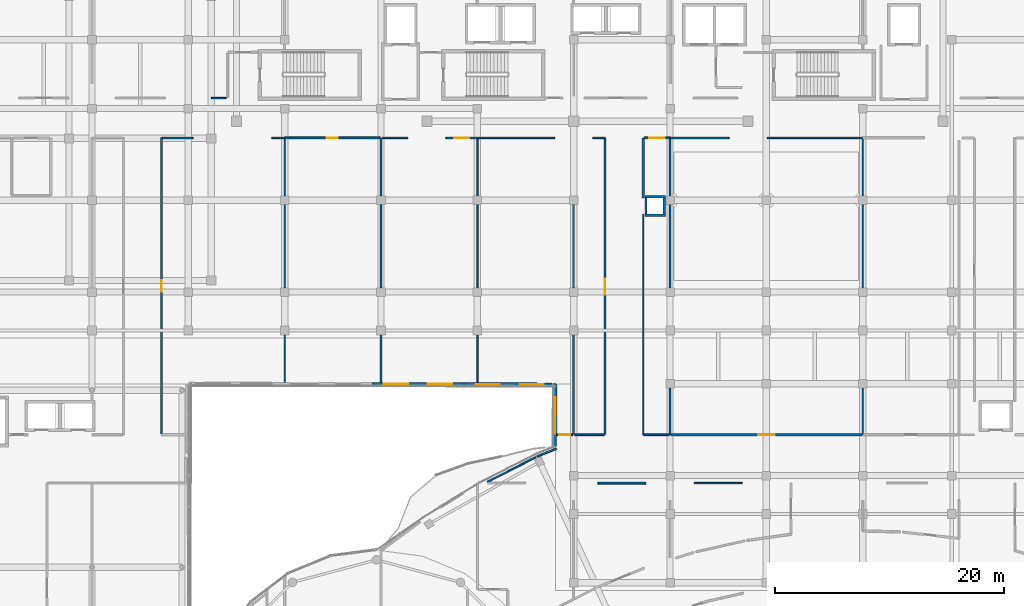
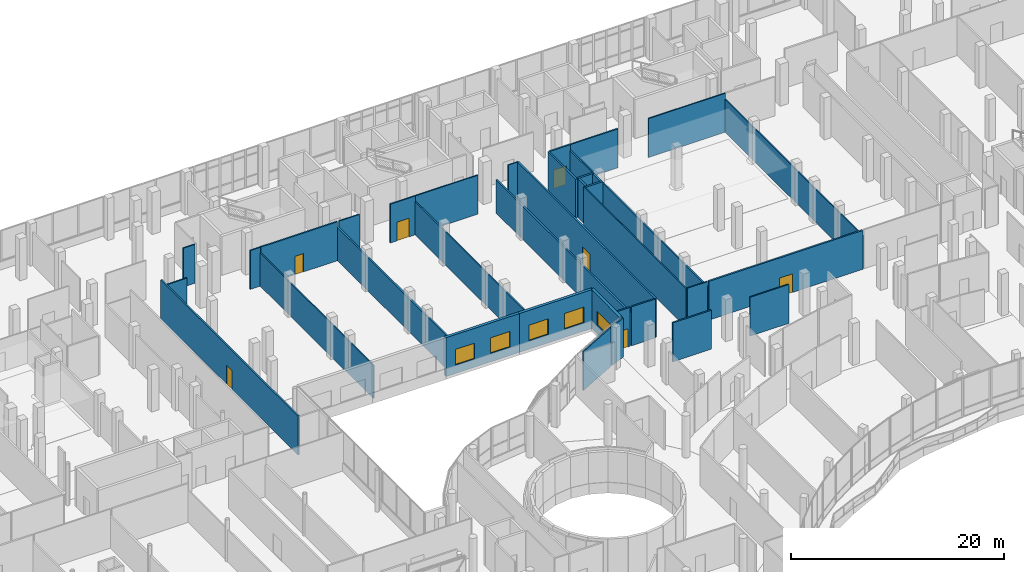
# One storey, part 137 of 155: 36 walls, 7 doors, 5 windows, 12 openings.
"""IFC4 building model written with IfcOpenShell, lengths in metres."""

from ifc_helpers import new_model, si_unit, direction, frame, frame_2d, origin, place, context, subcontext, project, spatial, rectangle, extrude, material, layer, layer_set, type_object, element, fill, save


model = new_model("IFC4")

# Units and contexts
model_context = context("Model", 3, precision=1e-05, world=origin(), true_north=direction((0.0, 1.0)))
body_context = subcontext(model_context, "Body", "Model", "MODEL_VIEW")
ifc_project = project(units=[si_unit("LENGTHUNIT", "METRE"), si_unit("AREAUNIT", "SQUARE_METRE"), si_unit("VOLUMEUNIT", "CUBIC_METRE"), si_unit("PLANEANGLEUNIT", "RADIAN"), si_unit("MASSUNIT", "GRAM", prefix="KILO")], contexts=[model_context])

# Site, building, storey
site_placement = place(None, origin())
site = spatial("IfcSite", under=ifc_project, at=site_placement, CompositionType="ELEMENT")
building_placement = place(site_placement, origin())
building = spatial("IfcBuilding", under=site, at=building_placement, Name="Selatvlak General Hospital", CompositionType="ELEMENT")
storey_placement = place(building_placement, frame((0.0, 0.0, 10.199951171875)))
storey = spatial("IfcBuildingStorey", under=building, at=storey_placement, Name="L02", CompositionType="ELEMENT", Elevation=10.199951171875)

# Wall, opening, window
ifc_material_1 = material(Name="Precast concrete C40/50 - white fair-faced", Category="concrete")
ifc_layer_1 = layer(ifc_material_1, 0.300048828125, Name="Precast concrete C40/50 - white fair-faced", Category="concrete")
ifc_layer_set_1 = layer_set([ifc_layer_1], Name="Precast concrete C40/50 - white fair-faced")
wall_type_1 = type_object("IfcWallType", Name="WALL-EW-01", PredefinedType="SOLIDWALL", material=ifc_layer_set_1)
wall_1_placement = place(storey_placement, frame((113.56298828125, 78.552001953125, 0.0), z_axis=(0.0, 0.0, 1.0), x_axis=(0.006887325881, 0.99997628209, 0.0)))
wall_1 = element("IfcWall", 1, at=wall_1_placement, inside=storey, type_object=wall_type_1, Name="L02 exterior wall 0326", PredefinedType="SOLIDWALL", context=body_context, shape_type="SweptSolid", body=[
    extrude(rectangle(XDim=5.38818359375, YDim=0.300048828125, at=frame_2d((2.694091796875, 0.0))), origin(), (0.0, 0.0, 1.0), 4.4599609375),
])
opening_1_placement = place(wall_1_placement, frame((1.093994140625, 0.0, 0.9599609375)))
opening_1 = element("IfcOpeningElement", 2, at=opening_1_placement, cuts=wall_1, Name="Opening WN-16", PredefinedType="OPENING", context=body_context, shape_type="SweptSolid", body=[
    extrude(rectangle(XDim=3.199951171875, YDim=1.64990234375, at=frame_2d((1.60009765625, 0.824951171875))), frame((0.0, 0.159912109375, 0.0), z_axis=(0.0, -1.0, 0.0), x_axis=(1.0, 0.0, 0.0)), (0.0, 0.0, 1.0), 0.320068359375),
])
ifc_material_2 = material(Name="Thermally broken aluminium Low-E window", Category="aluminium")
window_type_1 = type_object("IfcWindowType", Name="WIN-WN-16", PartitioningType="SINGLE_PANEL", PredefinedType="WINDOW", material=ifc_material_2)
window_1_placement = place(opening_1_placement, origin())
window_1 = element("IfcWindow", 3, at=window_1_placement, inside=storey, type_object=window_type_1, Name="L02 clinical facade window 0045", OverallHeight=1.64990234375, OverallWidth=3.199951171875, PartitioningType="SINGLE_PANEL", PredefinedType="WINDOW", context=body_context, shape_type="SweptSolid", body=[
    extrude(rectangle(XDim=3.199951171875, YDim=1.64990234375, at=frame_2d((1.60009765625, 0.824951171875))), frame((0.0, 0.030029296875, 0.0), z_axis=(0.0, -1.0, 0.0), x_axis=(1.0, 0.0, 0.0)), (0.0, 0.0, 1.0), 0.06005859375),
])
fill(opening_1, window_1)

# Wall, openings, windows
wall_2_placement = place(storey_placement, frame((113.60009765625, 83.93994140625, 0.0), z_axis=(0.0, 0.0, 1.0), x_axis=(-0.99999820332, 0.001895615269, 0.0)))
wall_2 = element("IfcWall", 4, at=wall_2_placement, inside=storey, type_object=wall_type_1, Name="L02 exterior wall 0327", PredefinedType="SOLIDWALL", context=body_context, shape_type="SweptSolid", body=[
    extrude(rectangle(XDim=7.985107421875, YDim=0.300048828125, at=frame_2d((3.99267578125, 0.0))), origin(), (0.0, 0.0, 1.0), 4.4599609375),
])
opening_2_placement = place(wall_2_placement, frame((1.02587890625, 0.0, 0.9599609375)))
opening_2 = element("IfcOpeningElement", 5, at=opening_2_placement, cuts=wall_2, Name="Opening WN-21", PredefinedType="OPENING", context=body_context, shape_type="SweptSolid", body=[
    extrude(rectangle(XDim=2.10009765625, YDim=1.800048828125, at=frame_2d((1.050048828125, 0.89990234375))), frame((0.0, 0.159912109375, 0.0), z_axis=(0.0, -1.0, 0.0), x_axis=(1.0, 0.0, 0.0)), (0.0, 0.0, 1.0), 0.320068359375),
])
opening_3_placement = place(wall_2_placement, frame((4.85888671875, 0.0, 0.9599609375)))
opening_3 = element("IfcOpeningElement", 6, at=opening_3_placement, cuts=wall_2, Name="Opening WN-21", PredefinedType="OPENING", context=body_context, shape_type="SweptSolid", body=[
    extrude(rectangle(XDim=2.10009765625, YDim=1.800048828125, at=frame_2d((1.050048828125, 0.89990234375))), frame((0.0, 0.159912109375, 0.0), z_axis=(0.0, -1.0, 0.0), x_axis=(1.0, 0.0, 0.0)), (0.0, 0.0, 1.0), 0.320068359375),
])
window_type_2 = type_object("IfcWindowType", Name="WIN-WN-21", PartitioningType="SINGLE_PANEL", PredefinedType="WINDOW", material=ifc_material_2)
window_2_placement = place(opening_2_placement, origin())
window_2 = element("IfcWindow", 7, at=window_2_placement, inside=storey, type_object=window_type_2, Name="L02 Bauhaus ribbon window 0046", OverallHeight=1.800048828125, OverallWidth=2.10009765625, PartitioningType="SINGLE_PANEL", PredefinedType="WINDOW", context=body_context, shape_type="SweptSolid", body=[
    extrude(rectangle(XDim=2.10009765625, YDim=1.800048828125, at=frame_2d((1.050048828125, 0.89990234375))), frame((0.0, 0.030029296875, 0.0), z_axis=(0.0, -1.0, 0.0), x_axis=(1.0, 0.0, 0.0)), (0.0, 0.0, 1.0), 0.06005859375),
])
fill(opening_2, window_2)
window_3_placement = place(opening_3_placement, origin())
window_3 = element("IfcWindow", 8, at=window_3_placement, inside=storey, type_object=window_type_2, Name="L02 Bauhaus ribbon window 0047", OverallHeight=1.800048828125, OverallWidth=2.10009765625, PartitioningType="SINGLE_PANEL", PredefinedType="WINDOW", context=body_context, shape_type="SweptSolid", body=[
    extrude(rectangle(XDim=2.10009765625, YDim=1.800048828125, at=frame_2d((1.050048828125, 0.89990234375))), frame((0.0, 0.030029296875, 0.0), z_axis=(0.0, -1.0, 0.0), x_axis=(1.0, 0.0, 0.0)), (0.0, 0.0, 1.0), 0.06005859375),
])
fill(opening_3, window_3)

wall_3_placement = place(storey_placement, frame((105.614990234375, 83.955078125, 0.0), z_axis=(0.0, 0.0, 1.0), x_axis=(-0.99999826081, 0.001865040936, 0.0)))
wall_3 = element("IfcWall", 9, at=wall_3_placement, inside=storey, type_object=wall_type_1, Name="L02 exterior wall 0328", PredefinedType="SOLIDWALL", context=body_context, shape_type="SweptSolid", body=[
    extrude(rectangle(XDim=7.985107421875, YDim=0.300048828125, at=frame_2d((3.99267578125, 0.0))), origin(), (0.0, 0.0, 1.0), 4.4599609375),
])
opening_4_placement = place(wall_3_placement, frame((1.02587890625, 0.0, 0.9599609375)))
opening_4 = element("IfcOpeningElement", 10, at=opening_4_placement, cuts=wall_3, Name="Opening WN-21", PredefinedType="OPENING", context=body_context, shape_type="SweptSolid", body=[
    extrude(rectangle(XDim=2.10009765625, YDim=1.800048828125, at=frame_2d((1.050048828125, 0.89990234375))), frame((0.0, 0.159912109375, 0.0), z_axis=(0.0, -1.0, 0.0), x_axis=(1.0, 0.0, 0.0)), (0.0, 0.0, 1.0), 0.320068359375),
])
opening_5_placement = place(wall_3_placement, frame((4.85888671875, 0.0, 0.9599609375)))
opening_5 = element("IfcOpeningElement", 11, at=opening_5_placement, cuts=wall_3, Name="Opening WN-21", PredefinedType="OPENING", context=body_context, shape_type="SweptSolid", body=[
    extrude(rectangle(XDim=2.10009765625, YDim=1.800048828125, at=frame_2d((1.050048828125, 0.89990234375))), frame((0.0, 0.159912109375, 0.0), z_axis=(0.0, -1.0, 0.0), x_axis=(1.0, 0.0, 0.0)), (0.0, 0.0, 1.0), 0.320068359375),
])
window_4_placement = place(opening_4_placement, origin())
window_4 = element("IfcWindow", 12, at=window_4_placement, inside=storey, type_object=window_type_2, Name="L02 Bauhaus ribbon window 0048", OverallHeight=1.800048828125, OverallWidth=2.10009765625, PartitioningType="SINGLE_PANEL", PredefinedType="WINDOW", context=body_context, shape_type="SweptSolid", body=[
    extrude(rectangle(XDim=2.10009765625, YDim=1.800048828125, at=frame_2d((1.050048828125, 0.89990234375))), frame((0.0, 0.030029296875, 0.0), z_axis=(0.0, -1.0, 0.0), x_axis=(1.0, 0.0, 0.0)), (0.0, 0.0, 1.0), 0.06005859375),
])
fill(opening_4, window_4)
window_5_placement = place(opening_5_placement, origin())
window_5 = element("IfcWindow", 13, at=window_5_placement, inside=storey, type_object=window_type_2, Name="L02 Bauhaus ribbon window 0049", OverallHeight=1.800048828125, OverallWidth=2.10009765625, PartitioningType="SINGLE_PANEL", PredefinedType="WINDOW", context=body_context, shape_type="SweptSolid", body=[
    extrude(rectangle(XDim=2.10009765625, YDim=1.800048828125, at=frame_2d((1.050048828125, 0.89990234375))), frame((0.0, 0.030029296875, 0.0), z_axis=(0.0, -1.0, 0.0), x_axis=(1.0, 0.0, 0.0)), (0.0, 0.0, 1.0), 0.06005859375),
])
fill(opening_5, window_5)

# Walls
ifc_material_3 = material(Name="Concrete C40/50", Category="concrete")
ifc_layer_2 = layer(ifc_material_3, 0.199951171875, Name="Concrete C40/50", Category="concrete")
ifc_layer_set_2 = layer_set([ifc_layer_2], Name="Concrete C40/50")
wall_type_2 = type_object("IfcWallType", Name="WALL-IW-02", PredefinedType="SOLIDWALL", material=ifc_layer_set_2)
wall_4_placement = place(storey_placement, frame((121.39990234375, 98.699951171875, 0.0), z_axis=(0.0, 0.0, 1.0), x_axis=(1.0, 0.0, 0.0)))
element("IfcWall", 14, at=wall_4_placement, inside=storey, type_object=wall_type_2, Name="Service riser 2 shaft wall L02 S", PredefinedType="SOLIDWALL", context=body_context, shape_type="SweptSolid", body=[
    extrude(rectangle(XDim=1.800048828125, YDim=0.199951171875, at=frame_2d((0.89990234375, 0.0))), origin(), (0.0, 0.0, 1.0), 4.4599609375),
])
wall_5_placement = place(storey_placement, frame((123.10009765625, 98.800048828125, 0.0), z_axis=(0.0, 0.0, 1.0), x_axis=(0.0, 1.0, 0.0)))
element("IfcWall", 15, at=wall_5_placement, inside=storey, type_object=wall_type_2, Name="Service riser 2 shaft wall L02 E", PredefinedType="SOLIDWALL", context=body_context, shape_type="SweptSolid", body=[
    extrude(rectangle(XDim=1.39990234375, YDim=0.199951171875, at=frame_2d((0.699951171875, 0.0))), origin(), (0.0, 0.0, 1.0), 4.4599609375),
])
wall_6_placement = place(storey_placement, frame((123.199951171875, 100.300048828125, 0.0), z_axis=(0.0, 0.0, 1.0), x_axis=(-1.0, 0.0, 0.0)))
element("IfcWall", 16, at=wall_6_placement, inside=storey, type_object=wall_type_2, Name="Service riser 2 shaft wall L02 N", PredefinedType="SOLIDWALL", context=body_context, shape_type="SweptSolid", body=[
    extrude(rectangle(XDim=1.800048828125, YDim=0.199951171875, at=frame_2d((0.89990234375, 0.0))), origin(), (0.0, 0.0, 1.0), 4.4599609375),
])
wall_7_placement = place(storey_placement, frame((121.5, 100.199951171875, 0.0), z_axis=(0.0, 0.0, 1.0), x_axis=(0.0, -1.0, 0.0)))
element("IfcWall", 17, at=wall_7_placement, inside=storey, type_object=wall_type_2, Name="Service riser 2 shaft wall L02 W", PredefinedType="SOLIDWALL", context=body_context, shape_type="SweptSolid", body=[
    extrude(rectangle(XDim=1.39990234375, YDim=0.199951171875, at=frame_2d((0.699951171875, 0.0))), origin(), (0.0, 0.0, 1.0), 4.4599609375),
])
ifc_material_4 = material(Name="Acoustic gypsum stud partition")
ifc_layer_3 = layer(ifc_material_4, 0.179931640625, Name="Acoustic gypsum stud partition")
ifc_layer_set_3 = layer_set([ifc_layer_3], Name="Acoustic gypsum stud partition")
wall_type_3 = type_object("IfcWallType", Name="WALL-PT-01", PredefinedType="PARTITIONING", material=ifc_layer_set_3)
wall_8_placement = place(storey_placement, frame((98.39990234375, 105.43994140625, 0.0), z_axis=(0.0, 0.0, 1.0), x_axis=(0.0, -1.0, 0.0)))
element("IfcWall", 18, at=wall_8_placement, inside=storey, type_object=wall_type_3, Name="L02 clinical partition PT-L02-1285", PredefinedType="PARTITIONING", context=body_context, shape_type="SweptSolid", body=[
    extrude(rectangle(XDim=21.323974609375, YDim=0.179931640625, at=frame_2d((10.662109375, 0.0))), origin(), (0.0, 0.0, 1.0), 3.81005859375),
])
wall_9_placement = place(storey_placement, frame((115.199951171875, 104.68994140625, 0.0), z_axis=(0.0, 0.0, 1.0), x_axis=(0.0, -1.0, 0.0)))
element("IfcWall", 19, at=wall_9_placement, inside=storey, type_object=wall_type_3, Name="L02 clinical partition PT-L02-1290", PredefinedType="PARTITIONING", context=body_context, shape_type="SweptSolid", body=[
    extrude(rectangle(XDim=25.1298828125, YDim=0.179931640625, at=frame_2d((12.56494140625, 0.0))), origin(), (0.0, 0.0, 1.0), 3.81005859375),
])
wall_10_placement = place(storey_placement, frame((121.260009765625, 100.199951171875, 0.0), z_axis=(0.0, 0.0, 1.0), x_axis=(0.0, 1.0, 0.0)))
element("IfcWall", 20, at=wall_10_placement, inside=storey, type_object=wall_type_3, Name="L02 clinical partition PT-L02-1295", PredefinedType="PARTITIONING", context=body_context, shape_type="SweptSolid", body=[
    extrude(rectangle(XDim=5.239990234375, YDim=0.179931640625, at=frame_2d((2.6201171875, 0.0))), origin(), (0.0, 0.0, 1.0), 4.4599609375),
])

# Wall, opening, door
wall_11_placement = place(storey_placement, frame((117.93994140625, 105.384033203125, 0.0), z_axis=(0.0, 0.0, 1.0), x_axis=(0.0, -1.0, 0.0)))
wall_11 = element("IfcWall", 21, at=wall_11_placement, inside=storey, type_object=wall_type_3, Name="L02 clinical partition PT-L02-1300", PredefinedType="PARTITIONING", context=body_context, shape_type="SweptSolid", body=[
    extrude(rectangle(XDim=25.823974609375, YDim=0.179931640625, at=frame_2d((12.912109375, 0.0))), origin(), (0.0, 0.0, 1.0), 4.4599609375),
])
opening_6_placement = place(wall_11_placement, frame((12.2119140625, 0.0, 0.0)))
opening_6 = element("IfcOpeningElement", 22, at=opening_6_placement, cuts=wall_11, Name="Opening D-11", PredefinedType="OPENING", context=body_context, shape_type="SweptSolid", body=[
    extrude(rectangle(XDim=1.39990234375, YDim=2.14990234375, at=frame_2d((0.699951171875, 1.074951171875))), frame((0.0, 0.099853515625, 0.0), z_axis=(0.0, -1.0, 0.0), x_axis=(1.0, 0.0, 0.0)), (0.0, 0.0, 1.0), 0.199951171875),
])
ifc_material_5 = material(Name="Inpatient suite bed door")
door_type_1 = type_object("IfcDoorType", Name="DOOR-D-11", OperationType="NOTDEFINED", PredefinedType="DOOR", material=ifc_material_5)
door_1_placement = place(opening_6_placement, origin())
door_1 = element("IfcDoor", 23, at=door_1_placement, inside=storey, type_object=door_type_1, Name="L02 Sterile Instrument Preparation 53 door", OperationType="SINGLE_SWING_RIGHT", OverallHeight=2.14990234375, OverallWidth=1.39990234375, PredefinedType="DOOR", context=body_context, shape_type="SweptSolid", body=[
    extrude(rectangle(XDim=1.39990234375, YDim=2.14990234375, at=frame_2d((0.699951171875, 1.074951171875))), frame((0.0, 0.02490234375, 0.0), z_axis=(0.0, -1.0, 0.0), x_axis=(1.0, 0.0, 0.0)), (0.0, 0.0, 1.0), 0.050048828125),
])
fill(opening_6, door_1)

wall_12_placement = place(storey_placement, frame((140.343994140625, 79.56005859375, 0.0), z_axis=(0.0, 0.0, 1.0), x_axis=(-1.0, 0.0, 0.0)))
wall_12 = element("IfcWall", 24, at=wall_12_placement, inside=storey, type_object=wall_type_3, Name="L02 clinical partition PT-L02-1305", PredefinedType="PARTITIONING", context=body_context, shape_type="SweptSolid", body=[
    extrude(rectangle(XDim=16.673095703125, YDim=0.179931640625, at=frame_2d((8.33642578125, 0.0))), origin(), (0.0, 0.0, 1.0), 4.4599609375),
])
opening_7_placement = place(wall_12_placement, frame((7.611083984375, 0.0, 0.0)))
opening_7 = element("IfcOpeningElement", 25, at=opening_7_placement, cuts=wall_12, Name="Opening D-12", PredefinedType="OPENING", context=body_context, shape_type="SweptSolid", body=[
    extrude(rectangle(XDim=1.449951171875, YDim=2.14990234375, at=frame_2d((0.72509765625, 1.074951171875))), frame((0.0, 0.099853515625, 0.0), z_axis=(0.0, -1.0, 0.0), x_axis=(1.0, 0.0, 0.0)), (0.0, 0.0, 1.0), 0.199951171875),
])
ifc_material_6 = material(Name="Isolation anteroom door")
door_type_2 = type_object("IfcDoorType", Name="DOOR-D-12", OperationType="NOTDEFINED", PredefinedType="DOOR", material=ifc_material_6)
door_2_placement = place(opening_7_placement, origin())
door_2 = element("IfcDoor", 26, at=door_2_placement, inside=storey, type_object=door_type_2, Name="L02 Anaesthetic Pre-Op Assessment 54 door", OperationType="SINGLE_SWING_LEFT", OverallHeight=2.14990234375, OverallWidth=1.449951171875, PredefinedType="DOOR", context=body_context, shape_type="SweptSolid", body=[
    extrude(rectangle(XDim=1.449951171875, YDim=2.14990234375, at=frame_2d((0.72509765625, 1.074951171875))), frame((0.0, 0.02490234375, 0.0), z_axis=(0.0, -1.0, 0.0), x_axis=(1.0, 0.0, 0.0)), (0.0, 0.0, 1.0), 0.050048828125),
])
fill(opening_7, door_2)

# Wall
ifc_layer_4 = layer(ifc_material_4, 0.1650390625, Name="Acoustic gypsum stud partition")
ifc_layer_set_4 = layer_set([ifc_layer_4], Name="Acoustic gypsum stud partition")
wall_type_4 = type_object("IfcWallType", Name="WALL-PT-02", PredefinedType="PARTITIONING", material=ifc_layer_set_4)
wall_13_placement = place(storey_placement, frame((117.30810546875, 75.340087890625, 0.0), z_axis=(0.0, 0.0, 1.0), x_axis=(1.0, 0.0, 0.0)))
element("IfcWall", 27, at=wall_13_placement, inside=storey, type_object=wall_type_4, Name="L02 clinical partition PT-L02-1192", PredefinedType="PARTITIONING", context=body_context, shape_type="SweptSolid", body=[
    extrude(rectangle(XDim=4.183837890625, YDim=0.1650390625, at=frame_2d((2.091796875, 0.0))), origin(), (0.0, 0.0, 1.0), 4.4599609375),
])

# Wall, opening, door
wall_14_placement = place(storey_placement, frame((79.260009765625, 79.64599609375, 0.0), z_axis=(0.0, 0.0, 1.0), x_axis=(0.0, 1.0, 0.0)))
wall_14 = element("IfcWall", 28, at=wall_14_placement, inside=storey, type_object=wall_type_4, Name="L02 clinical partition PT-L02-1276", PredefinedType="PARTITIONING", context=body_context, shape_type="SweptSolid", body=[
    extrude(rectangle(XDim=25.7939453125, YDim=0.1650390625, at=frame_2d((12.89697265625, 0.0))), origin(), (0.0, 0.0, 1.0), 4.4599609375),
])
opening_8_placement = place(wall_14_placement, frame((12.39697265625, 0.0, 0.0)))
opening_8 = element("IfcOpeningElement", 29, at=opening_8_placement, cuts=wall_14, Name="Opening D-21", PredefinedType="OPENING", context=body_context, shape_type="SweptSolid", body=[
    extrude(rectangle(XDim=1.0, YDim=2.14990234375, at=frame_2d((0.5, 1.074951171875))), frame((0.0, 0.092529296875, 0.0), z_axis=(0.0, -1.0, 0.0), x_axis=(1.0, 0.0, 0.0)), (0.0, 0.0, 1.0), 0.18505859375),
])
ifc_material_7 = material(Name="Laboratory fire door")
door_type_3 = type_object("IfcDoorType", Name="DOOR-D-21", OperationType="NOTDEFINED", PredefinedType="DOOR", material=ifc_material_7)
door_3_placement = place(opening_8_placement, origin())
door_3 = element("IfcDoor", 30, at=door_3_placement, inside=storey, type_object=door_type_3, Name="L02 Sterile Instrument Preparation 47 door", OperationType="SINGLE_SWING_RIGHT", OverallHeight=2.14990234375, OverallWidth=1.0, PredefinedType="DOOR", context=body_context, shape_type="SweptSolid", body=[
    extrude(rectangle(XDim=1.0, YDim=2.14990234375, at=frame_2d((0.5, 1.074951171875))), frame((0.0, 0.02490234375, 0.0), z_axis=(0.0, -1.0, 0.0), x_axis=(1.0, 0.0, 0.0)), (0.0, 0.0, 1.0), 0.050048828125),
])
fill(opening_8, door_3)

wall_15_placement = place(storey_placement, frame((90.0, 105.43994140625, 0.0), z_axis=(0.0, 0.0, 1.0), x_axis=(1.0, 0.0, 0.0)))
wall_15 = element("IfcWall", 31, at=wall_15_placement, inside=storey, type_object=wall_type_4, Name="L02 clinical partition PT-L02-1286", PredefinedType="PARTITIONING", context=body_context, shape_type="SweptSolid", body=[
    extrude(rectangle(XDim=8.31396484375, YDim=0.1650390625, at=frame_2d((4.156982421875, 0.0))), origin(), (0.0, 0.0, 1.0), 4.4599609375),
])
opening_9_placement = place(wall_15_placement, frame((3.681884765625, 0.0, 0.0)))
opening_9 = element("IfcOpeningElement", 32, at=opening_9_placement, cuts=wall_15, Name="Opening D-02", PredefinedType="OPENING", context=body_context, shape_type="SweptSolid", body=[
    extrude(rectangle(XDim=0.949951171875, YDim=2.10009765625, at=frame_2d((0.47509765625, 1.050048828125))), frame((0.0, 0.092529296875, 0.0), z_axis=(0.0, -1.0, 0.0), x_axis=(1.0, 0.0, 0.0)), (0.0, 0.0, 1.0), 0.18505859375),
])
ifc_material_8 = material(Name="Moisture-resistant en-suite door")
door_type_4 = type_object("IfcDoorType", Name="DOOR-D-02", OperationType="NOTDEFINED", PredefinedType="DOOR", material=ifc_material_8)
door_4_placement = place(opening_9_placement, origin())
door_4 = element("IfcDoor", 33, at=door_4_placement, inside=storey, type_object=door_type_4, Name="L02 Cardiac Catheterisation Lab 49 door", OperationType="SINGLE_SWING_RIGHT", OverallHeight=2.10009765625, OverallWidth=0.949951171875, PredefinedType="DOOR", context=body_context, shape_type="SweptSolid", body=[
    extrude(rectangle(XDim=0.949951171875, YDim=2.10009765625, at=frame_2d((0.47509765625, 1.050048828125))), frame((0.0, 0.02490234375, 0.0), z_axis=(0.0, -1.0, 0.0), x_axis=(1.0, 0.0, 0.0)), (0.0, 0.0, 1.0), 0.050048828125),
])
fill(opening_9, door_4)

wall_16_placement = place(storey_placement, frame((115.114013671875, 79.56005859375, 0.0), z_axis=(0.0, 0.0, 1.0), x_axis=(-1.0, 0.0, 0.0)))
wall_16 = element("IfcWall", 34, at=wall_16_placement, inside=storey, type_object=wall_type_4, Name="L02 clinical partition PT-L02-1291", PredefinedType="PARTITIONING", context=body_context, shape_type="SweptSolid", body=[
    extrude(rectangle(XDim=1.39697265625, YDim=0.1650390625, at=frame_2d((0.698486328125, 0.0))), origin(), (0.0, 0.0, 1.0), 4.4599609375),
])
opening_10_placement = place(wall_16_placement, frame((0.22412109375, 0.0, 0.0)))
opening_10 = element("IfcOpeningElement", 35, at=opening_10_placement, cuts=wall_16, Name="Opening D-02", PredefinedType="OPENING", context=body_context, shape_type="SweptSolid", body=[
    extrude(rectangle(XDim=0.949951171875, YDim=2.10009765625, at=frame_2d((0.47509765625, 1.050048828125))), frame((0.0, 0.092529296875, 0.0), z_axis=(0.0, -1.0, 0.0), x_axis=(1.0, 0.0, 0.0)), (0.0, 0.0, 1.0), 0.18505859375),
])
door_5_placement = place(opening_10_placement, origin())
door_5 = element("IfcDoor", 36, at=door_5_placement, inside=storey, type_object=door_type_4, Name="L02 Post Anaesthesia Recovery Bay 51 door", OperationType="SINGLE_SWING_RIGHT", OverallHeight=2.10009765625, OverallWidth=0.949951171875, PredefinedType="DOOR", context=body_context, shape_type="SweptSolid", body=[
    extrude(rectangle(XDim=0.949951171875, YDim=2.10009765625, at=frame_2d((0.47509765625, 1.050048828125))), frame((0.0, 0.02490234375, 0.0), z_axis=(0.0, -1.0, 0.0), x_axis=(1.0, 0.0, 0.0)), (0.0, 0.0, 1.0), 0.050048828125),
])
fill(opening_10, door_5)

wall_17_placement = place(storey_placement, frame((121.345947265625, 105.43994140625, 0.0), z_axis=(0.0, 0.0, 1.0), x_axis=(1.0, 0.0, 0.0)))
wall_17 = element("IfcWall", 37, at=wall_17_placement, inside=storey, type_object=wall_type_4, Name="L02 clinical partition PT-L02-1296", PredefinedType="PARTITIONING", context=body_context, shape_type="SweptSolid", body=[
    extrude(rectangle(XDim=2.254150390625, YDim=0.1650390625, at=frame_2d((1.126953125, 0.0))), origin(), (0.0, 0.0, 1.0), 4.4599609375),
])
opening_11_placement = place(wall_17_placement, frame((0.451904296875, 0.0, 0.0)))
opening_11 = element("IfcOpeningElement", 38, at=opening_11_placement, cuts=wall_17, Name="Opening D-10", PredefinedType="OPENING", context=body_context, shape_type="SweptSolid", body=[
    extrude(rectangle(XDim=1.35009765625, YDim=2.14990234375, at=frame_2d((0.675048828125, 1.074951171875))), frame((0.0, 0.092529296875, 0.0), z_axis=(0.0, -1.0, 0.0), x_axis=(1.0, 0.0, 0.0)), (0.0, 0.0, 1.0), 0.18505859375),
])
ifc_material_9 = material(Name="Single patient bed door")
door_type_5 = type_object("IfcDoorType", Name="DOOR-D-10", OperationType="NOTDEFINED", PredefinedType="DOOR", material=ifc_material_9)
door_6_placement = place(opening_11_placement, origin())
door_6 = element("IfcDoor", 39, at=door_6_placement, inside=storey, type_object=door_type_5, Name="L02 Surgical Day Admission Lounge 52 door", OperationType="SINGLE_SWING_LEFT", OverallHeight=2.14990234375, OverallWidth=1.35009765625, PredefinedType="DOOR", context=body_context, shape_type="SweptSolid", body=[
    extrude(rectangle(XDim=1.35009765625, YDim=2.14990234375, at=frame_2d((0.675048828125, 1.074951171875))), frame((0.0, 0.02490234375, 0.0), z_axis=(0.0, -1.0, 0.0), x_axis=(1.0, 0.0, 0.0)), (0.0, 0.0, 1.0), 0.050048828125),
])
fill(opening_11, door_6)

# Walls
wall_18_placement = place(storey_placement, frame((117.85400390625, 79.56005859375, 0.0), z_axis=(0.0, 0.0, 1.0), x_axis=(-1.0, 0.0, 0.0)))
element("IfcWall", 40, at=wall_18_placement, inside=storey, type_object=wall_type_4, Name="L02 clinical partition PT-L02-1301", PredefinedType="PARTITIONING", context=body_context, shape_type="SweptSolid", body=[
    extrude(rectangle(XDim=2.568115234375, YDim=0.1650390625, at=frame_2d((1.2841796875, 0.0))), origin(), (0.0, 0.0, 1.0), 4.4599609375),
])
ifc_layer_5 = layer(ifc_material_4, 0.14990234375, Name="Acoustic gypsum stud partition")
ifc_layer_set_5 = layer_set([ifc_layer_5], Name="Acoustic gypsum stud partition")
wall_type_5 = type_object("IfcWallType", Name="WALL-PT-03", PredefinedType="PARTITIONING", material=ifc_layer_set_5)
wall_19_placement = place(storey_placement, frame((79.339111328125, 105.43994140625, 0.0), z_axis=(0.0, 0.0, 1.0), x_axis=(1.0, 0.0, 0.0)))
element("IfcWall", 41, at=wall_19_placement, inside=storey, type_object=wall_type_5, Name="L02 clinical partition PT-L02-1277", PredefinedType="PARTITIONING", context=body_context, shape_type="SweptSolid", body=[
    extrude(rectangle(XDim=2.680908203125, YDim=0.14990234375, at=frame_2d((1.34033203125, 0.0))), origin(), (0.0, 0.0, 1.0), 3.7099609375),
])

# Wall, opening, door
wall_20_placement = place(storey_placement, frame((104.055908203125, 105.43994140625, 0.0), z_axis=(0.0, 0.0, 1.0), x_axis=(1.0, 0.0, 0.0)))
wall_20 = element("IfcWall", 42, at=wall_20_placement, inside=storey, type_object=wall_type_5, Name="L02 clinical partition PT-L02-1287", PredefinedType="PARTITIONING", context=body_context, shape_type="SweptSolid", body=[
    extrude(rectangle(XDim=2.744140625, YDim=0.14990234375, at=frame_2d((1.3720703125, 0.0))), origin(), (0.0, 0.0, 1.0), 4.4599609375),
])
opening_12_placement = place(wall_20_placement, frame((0.721923828125, 0.0, 0.0)))
opening_12 = element("IfcOpeningElement", 43, at=opening_12_placement, cuts=wall_20, Name="Opening D-24", PredefinedType="OPENING", context=body_context, shape_type="SweptSolid", body=[
    extrude(rectangle(XDim=1.300048828125, YDim=2.14990234375, at=frame_2d((0.64990234375, 1.074951171875))), frame((0.0, 0.0849609375, 0.0), z_axis=(0.0, -1.0, 0.0), x_axis=(1.0, 0.0, 0.0)), (0.0, 0.0, 1.0), 0.169921875),
])
ifc_material_10 = material(Name="Oncology bay door")
door_type_6 = type_object("IfcDoorType", Name="DOOR-D-24", OperationType="NOTDEFINED", PredefinedType="DOOR", material=ifc_material_10)
door_7_placement = place(opening_12_placement, origin())
door_7 = element("IfcDoor", 44, at=door_7_placement, inside=storey, type_object=door_type_6, Name="L02 Electrophysiology Lab 50 door", OperationType="SINGLE_SWING_LEFT", OverallHeight=2.14990234375, OverallWidth=1.300048828125, PredefinedType="DOOR", context=body_context, shape_type="SweptSolid", body=[
    extrude(rectangle(XDim=1.300048828125, YDim=2.14990234375, at=frame_2d((0.64990234375, 1.074951171875))), frame((0.0, 0.02490234375, 0.0), z_axis=(0.0, -1.0, 0.0), x_axis=(1.0, 0.0, 0.0)), (0.0, 0.0, 1.0), 0.050048828125),
])
fill(opening_12, door_7)

# Walls
wall_21_placement = place(storey_placement, frame((113.675048828125, 78.339111328125, 0.0), z_axis=(0.0, 0.0, 1.0), x_axis=(-0.925581582464, -0.37854819271, 0.0)))
element("IfcWall", 45, at=wall_21_placement, inside=storey, type_object=wall_type_5, Name="L02 clinical partition PT-L02-1292", PredefinedType="PARTITIONING", context=body_context, shape_type="SweptSolid", body=[
    extrude(rectangle(XDim=1.796875, YDim=0.14990234375, at=frame_2d((0.8984375, 0.0))), origin(), (0.0, 0.0, 1.0), 4.4599609375),
])
wall_22_placement = place(storey_placement, frame((123.60009765625, 105.361083984375, 0.0), z_axis=(0.0, 0.0, 1.0), x_axis=(0.0, -1.0, 0.0)))
element("IfcWall", 46, at=wall_22_placement, inside=storey, type_object=wall_type_5, Name="L02 clinical partition PT-L02-1297", PredefinedType="PARTITIONING", context=body_context, shape_type="SweptSolid", body=[
    extrude(rectangle(XDim=25.801025390625, YDim=0.14990234375, at=frame_2d((12.900390625, 0.0))), origin(), (0.0, 0.0, 1.0), 3.81005859375),
])
wall_23_placement = place(storey_placement, frame((123.60009765625, 105.43994140625, 0.0), z_axis=(0.0, 0.0, 1.0), x_axis=(1.0, 0.0, 0.0)))
element("IfcWall", 47, at=wall_23_placement, inside=storey, type_object=wall_type_5, Name="L02 clinical partition PT-L02-1302", PredefinedType="PARTITIONING", context=body_context, shape_type="SweptSolid", body=[
    extrude(rectangle(XDim=5.143798828125, YDim=0.14990234375, at=frame_2d((2.57177734375, 0.0))), origin(), (0.0, 0.0, 1.0), 4.4599609375),
])
ifc_material_11 = material(Name="Moisture-resistant clinical partition")
ifc_layer_6 = layer(ifc_material_11, 0.135009765625, Name="Moisture-resistant clinical partition")
ifc_layer_set_6 = layer_set([ifc_layer_6], Name="Moisture-resistant clinical partition")
wall_type_6 = type_object("IfcWallType", Name="WALL-PT-04", PredefinedType="PARTITIONING", material=ifc_layer_set_6)
wall_24_placement = place(storey_placement, frame((111.89501953125, 77.60009765625, 0.0), z_axis=(0.0, 0.0, 1.0), x_axis=(-0.891217321541, -0.453576548982, 0.0)))
element("IfcWall", 48, at=wall_24_placement, inside=storey, type_object=wall_type_6, Name="L02 clinical partition PT-L02-1188", PredefinedType="PARTITIONING", context=body_context, shape_type="SweptSolid", body=[
    extrude(rectangle(XDim=4.73388671875, YDim=0.135009765625, at=frame_2d((2.366943359375, 0.0))), origin(), (0.0, 0.0, 1.0), 4.4599609375),
])
wall_25_placement = place(storey_placement, frame((125.7080078125, 75.340087890625, 0.0), z_axis=(0.0, 0.0, 1.0), x_axis=(1.0, 0.0, 0.0)))
element("IfcWall", 49, at=wall_25_placement, inside=storey, type_object=wall_type_6, Name="L02 clinical partition PT-L02-1205", PredefinedType="PARTITIONING", context=body_context, shape_type="SweptSolid", body=[
    extrude(rectangle(XDim=4.18408203125, YDim=0.135009765625, at=frame_2d((2.092041015625, 0.0))), origin(), (0.0, 0.0, 1.0), 4.4599609375),
])
wall_26_placement = place(storey_placement, frame((88.8798828125, 105.43994140625, 0.0), z_axis=(0.0, 0.0, 1.0), x_axis=(1.0, 0.0, 0.0)))
element("IfcWall", 50, at=wall_26_placement, inside=storey, type_object=wall_type_6, Name="L02 clinical partition PT-L02-1278", PredefinedType="PARTITIONING", context=body_context, shape_type="SweptSolid", body=[
    extrude(rectangle(XDim=1.1201171875, YDim=0.135009765625, at=frame_2d((0.56005859375, 0.0))), origin(), (0.0, 0.0, 1.0), 4.4599609375),
])
wall_27_placement = place(storey_placement, frame((106.800048828125, 105.368896484375, 0.0), z_axis=(0.0, 0.0, 1.0), x_axis=(0.0, -1.0, 0.0)))
element("IfcWall", 51, at=wall_27_placement, inside=storey, type_object=wall_type_6, Name="L02 clinical partition PT-L02-1288", PredefinedType="PARTITIONING", context=body_context, shape_type="SweptSolid", body=[
    extrude(rectangle(XDim=21.268798828125, YDim=0.135009765625, at=frame_2d((10.63427734375, 0.0))), origin(), (0.0, 0.0, 1.0), 3.81005859375),
])
wall_28_placement = place(storey_placement, frame((106.800048828125, 105.43994140625, 0.0), z_axis=(0.0, 0.0, 1.0), x_axis=(1.0, 0.0, 0.0)))
element("IfcWall", 52, at=wall_28_placement, inside=storey, type_object=wall_type_6, Name="L02 clinical partition PT-L02-1293", PredefinedType="PARTITIONING", context=body_context, shape_type="SweptSolid", body=[
    extrude(rectangle(XDim=6.743896484375, YDim=0.135009765625, at=frame_2d((3.3720703125, 0.0))), origin(), (0.0, 0.0, 1.0), 4.4599609375),
])
wall_29_placement = place(storey_placement, frame((123.529052734375, 79.56005859375, 0.0), z_axis=(0.0, 0.0, 1.0), x_axis=(-1.0, 0.0, 0.0)))
element("IfcWall", 53, at=wall_29_placement, inside=storey, type_object=wall_type_6, Name="L02 clinical partition PT-L02-1298", PredefinedType="PARTITIONING", context=body_context, shape_type="SweptSolid", body=[
    extrude(rectangle(XDim=2.213134765625, YDim=0.135009765625, at=frame_2d((1.1064453125, 0.0))), origin(), (0.0, 0.0, 1.0), 4.4599609375),
])
wall_30_placement = place(storey_placement, frame((132.055908203125, 105.43994140625, 0.0), z_axis=(0.0, 0.0, 1.0), x_axis=(1.0, 0.0, 0.0)))
element("IfcWall", 54, at=wall_30_placement, inside=storey, type_object=wall_type_6, Name="L02 clinical partition PT-L02-1303", PredefinedType="PARTITIONING", context=body_context, shape_type="SweptSolid", body=[
    extrude(rectangle(XDim=8.343994140625, YDim=0.135009765625, at=frame_2d((4.171875, 0.0))), origin(), (0.0, 0.0, 1.0), 4.4599609375),
])
wall_31_placement = place(storey_placement, frame((84.886962890625, 108.909912109375, 0.0), z_axis=(0.0, 0.0, 1.0), x_axis=(-1.0, 0.0, 0.0)))
element("IfcWall", 55, at=wall_31_placement, inside=storey, type_object=wall_type_6, Name="L02 clinical partition PT-L02-1343", PredefinedType="PARTITIONING", context=body_context, shape_type="SweptSolid", body=[
    extrude(rectangle(XDim=1.27587890625, YDim=0.135009765625, at=frame_2d((0.637939453125, 0.0))), origin(), (0.0, 0.0, 1.0), 4.4599609375),
])
ifc_layer_7 = layer(ifc_material_11, 0.1201171875, Name="Moisture-resistant clinical partition")
ifc_layer_set_7 = layer_set([ifc_layer_7], Name="Moisture-resistant clinical partition")
wall_type_7 = type_object("IfcWallType", Name="WALL-PT-05", PredefinedType="PARTITIONING", material=ifc_layer_set_7)
wall_32_placement = place(storey_placement, frame((90.0, 105.3759765625, 0.0), z_axis=(0.0, 0.0, 1.0), x_axis=(0.0, -1.0, 0.0)))
element("IfcWall", 56, at=wall_32_placement, inside=storey, type_object=wall_type_7, Name="L02 clinical partition PT-L02-1279", PredefinedType="PARTITIONING", context=body_context, shape_type="SweptSolid", body=[
    extrude(rectangle(XDim=21.244873046875, YDim=0.1201171875, at=frame_2d((10.62255859375, 0.0))), origin(), (0.0, 0.0, 1.0), 3.81005859375),
])
wall_33_placement = place(storey_placement, frame((98.486083984375, 105.43994140625, 0.0), z_axis=(0.0, 0.0, 1.0), x_axis=(1.0, 0.0, 0.0)))
element("IfcWall", 57, at=wall_33_placement, inside=storey, type_object=wall_type_7, Name="L02 clinical partition PT-L02-1289", PredefinedType="PARTITIONING", context=body_context, shape_type="SweptSolid", body=[
    extrude(rectangle(XDim=2.2578125, YDim=0.1201171875, at=frame_2d((1.12890625, 0.0))), origin(), (0.0, 0.0, 1.0), 4.4599609375),
])
wall_34_placement = place(storey_placement, frame((121.260009765625, 79.56005859375, 0.0), z_axis=(0.0, 0.0, 1.0), x_axis=(0.0, 1.0, 0.0)))
element("IfcWall", 58, at=wall_34_placement, inside=storey, type_object=wall_type_7, Name="L02 clinical partition PT-L02-1294", PredefinedType="PARTITIONING", context=body_context, shape_type="SweptSolid", body=[
    extrude(rectangle(XDim=19.239990234375, YDim=0.1201171875, at=frame_2d((9.6201171875, 0.0))), origin(), (0.0, 0.0, 1.0), 4.4599609375),
])
wall_35_placement = place(storey_placement, frame((116.85595703125, 105.43994140625, 0.0), z_axis=(0.0, 0.0, 1.0), x_axis=(1.0, 0.0, 0.0)))
element("IfcWall", 59, at=wall_35_placement, inside=storey, type_object=wall_type_7, Name="L02 clinical partition PT-L02-1299", PredefinedType="PARTITIONING", context=body_context, shape_type="SweptSolid", body=[
    extrude(rectangle(XDim=1.083984375, YDim=0.1201171875, at=frame_2d((0.5419921875, 0.0))), origin(), (0.0, 0.0, 1.0), 4.4599609375),
])
wall_36_placement = place(storey_placement, frame((140.39990234375, 105.3759765625, 0.0), z_axis=(0.0, 0.0, 1.0), x_axis=(0.0, -1.0, 0.0)))
element("IfcWall", 60, at=wall_36_placement, inside=storey, type_object=wall_type_7, Name="L02 clinical partition PT-L02-1304", PredefinedType="PARTITIONING", context=body_context, shape_type="SweptSolid", body=[
    extrude(rectangle(XDim=25.81591796875, YDim=0.1201171875, at=frame_2d((12.907958984375, 0.0))), origin(), (0.0, 0.0, 1.0), 3.81005859375),
])

save(model, "model.ifc")
